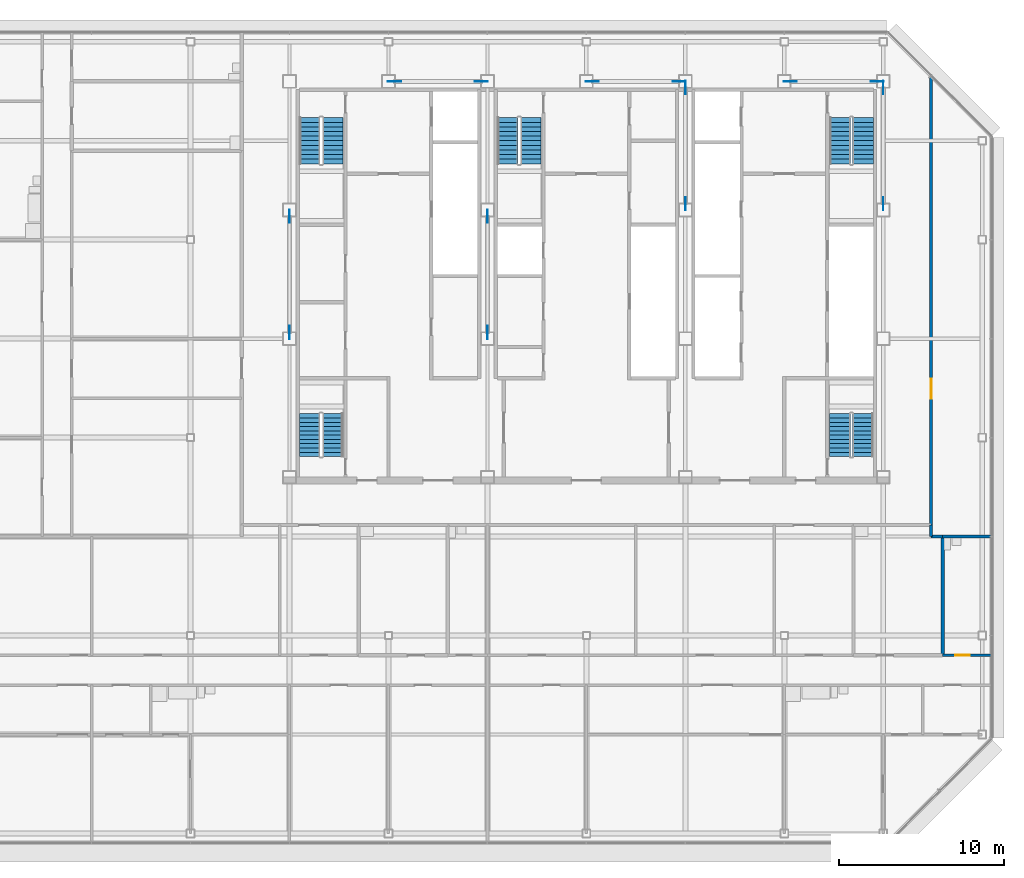
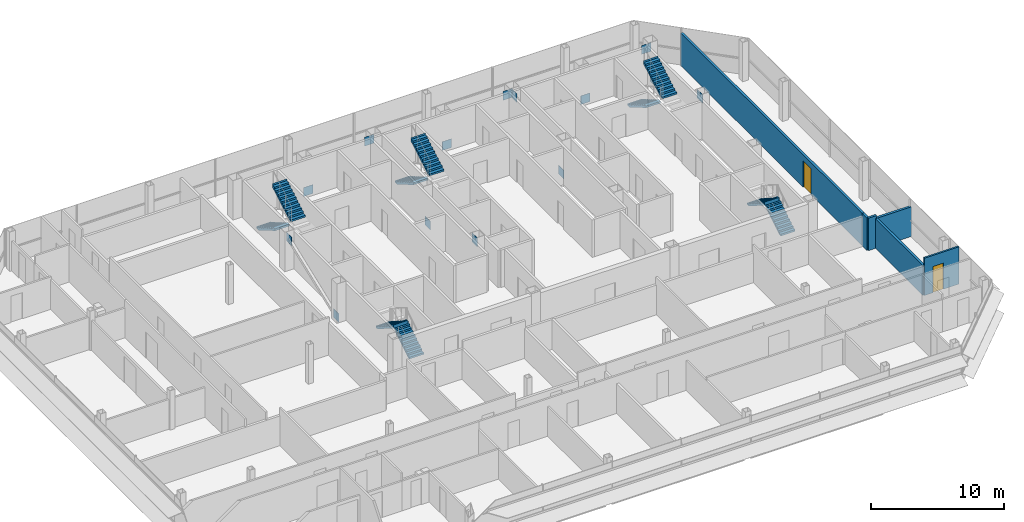
# One storey, part 25 of 27: 14 discrete accessories, 10 stair flights, 6 walls, 2 doors, 2 openings, 5 elements without a shape of their own.
"""IFC4 building model written with IfcOpenShell, lengths in metres."""

from ifc_helpers import new_model, si_unit, direction, frame, frame_2d, origin, origin_2d, place, context, subcontext, project, spatial, polyline, rectangle, outline, extrude, material, layer, layer_set, type_object, element, fill, aggregate, save


model = new_model("IFC4")

# Units and contexts
model_context = context("Model", 3, precision=1e-05, world=origin(), true_north=direction((0.0, 1.0)))
body_context = subcontext(model_context, "Body", "Model", "MODEL_VIEW")
ifc_project = project(units=[si_unit("LENGTHUNIT", "METRE"), si_unit("AREAUNIT", "SQUARE_METRE"), si_unit("VOLUMEUNIT", "CUBIC_METRE"), si_unit("PLANEANGLEUNIT", "RADIAN"), si_unit("MASSUNIT", "GRAM", prefix="KILO")], contexts=[model_context])

# Site, building, storey
site_placement = place(None, origin())
site = spatial("IfcSite", under=ifc_project, at=site_placement, CompositionType="ELEMENT")
building_placement = place(site_placement, origin())
building = spatial("IfcBuilding", under=site, at=building_placement, Name="Sorahane Residences", CompositionType="ELEMENT")
storey_placement = place(building_placement, frame((0.0, 0.0, 312.39990234375)))
storey = spatial("IfcBuildingStorey", under=building, at=storey_placement, Name="L74", CompositionType="ELEMENT", Elevation=312.39990234375)

# Wall, opening, door
ifc_material_1 = material(Name="Concrete blockwork C20 wall", Category="masonry")
ifc_layer_1 = layer(ifc_material_1, 0.199951171875)
ifc_layer_set_1 = layer_set([ifc_layer_1], Name="Corridor wall 200 EI 120")
wall_type_1 = type_object("IfcWallType", Name="Corridor wall 200 EI 120", PredefinedType="SOLIDWALL", material=ifc_layer_set_1)
wall_1_placement = place(storey_placement, frame((44.89990234375, 18.699951171875, 0.0), z_axis=(0.0, 0.0, 1.0), x_axis=(0.0, 1.0, 0.0)))
wall_1 = element("IfcWall", 1, at=wall_1_placement, inside=storey, type_object=wall_type_1, Name="L74 corridor wall", PredefinedType="SOLIDWALL", context=body_context, shape_type="SweptSolid", body=[
    extrude(rectangle(XDim=27.2490234375, YDim=0.199951171875, at=frame_2d((13.62451171875, 0.0))), origin(), (0.0, 0.0, 1.0), 2.97021484375),
])
opening_1_placement = place(wall_1_placement, frame((7.659912109375, 0.0, 0.0)))
opening_1 = element("IfcOpeningElement", 2, at=opening_1_placement, cuts=wall_1, Name="Opening L74-41", PredefinedType="OPENING", context=body_context, shape_type="SweptSolid", body=[
    extrude(rectangle(XDim=1.199951171875, YDim=2.39990234375, at=frame_2d((0.60009765625, 1.199951171875))), frame((0.0, 0.10986328125, 0.0), z_axis=(0.0, -1.0, 0.0), x_axis=(1.0, 0.0, 0.0)), (0.0, 0.0, 1.0), 0.219970703125),
])
ifc_material_2 = material(Name="Steel", Category="steel")
door_type_1 = type_object("IfcDoorType", Name="Lobby door 1200x2400 FD60", OperationType="NOTDEFINED", PredefinedType="DOOR", material=ifc_material_2)
door_1_placement = place(opening_1_placement, frame((1.199951171875, 0.0, 0.0), z_axis=(0.0, 0.0, 1.0), x_axis=(-1.0, 0.0, 0.0)))
door_1 = element("IfcDoor", 3, at=door_1_placement, inside=storey, type_object=door_type_1, Name="Lobby door L74-41", OperationType="SINGLE_SWING_RIGHT", OverallHeight=2.39990234375, OverallWidth=1.199951171875, PredefinedType="DOOR", context=body_context, shape_type="SweptSolid", body=[
    extrude(rectangle(XDim=1.199951171875, YDim=2.39990234375, at=frame_2d((0.60009765625, 1.199951171875))), frame((0.0, 0.02490234375, 0.0), z_axis=(0.0, -1.0, 0.0), x_axis=(1.0, 0.0, 0.0)), (0.0, 0.0, 1.0), 0.050048828125),
])
fill(opening_1, door_1)

# Walls
wall_2_placement = place(storey_placement, frame((45.60009765625, 18.0, 0.0), z_axis=(0.0, 0.0, 1.0), x_axis=(1.0, 0.0, 0.0)))
element("IfcWall", 4, at=wall_2_placement, inside=storey, type_object=wall_type_1, Name="L74 corridor wall", PredefinedType="SOLIDWALL", context=body_context, shape_type="SweptSolid", body=[
    extrude(rectangle(XDim=3.0, YDim=0.199951171875, at=frame_2d((1.5, 0.0))), origin(), (0.0, 0.0, 1.0), 2.72021484375),
])
ifc_material_3 = material(Name="Concrete blockwork C20 wall", Category="masonry")
ifc_layer_2 = layer(ifc_material_3, 0.199951171875)
ifc_layer_set_2 = layer_set([ifc_layer_2], Name="Kitchen wall 200 EI 180")
wall_type_2 = type_object("IfcWallType", Name="Kitchen wall 200 EI 180", PredefinedType="SOLIDWALL", material=ifc_layer_set_2)
wall_3_placement = place(storey_placement, frame((44.89990234375, 18.0, 0.0), z_axis=(0.0, 0.0, 1.0), x_axis=(0.0, 1.0, 0.0)))
element("IfcWall", 5, at=wall_3_placement, inside=storey, type_object=wall_type_2, Name="L74 kitchen wall", PredefinedType="SOLIDWALL", context=body_context, shape_type="SweptSolid", body=[
    extrude(rectangle(XDim=0.699951171875, YDim=0.199951171875, at=frame_2d((0.35009765625, 0.0))), origin(), (0.0, 0.0, 1.0), 2.97021484375),
])
wall_4_placement = place(storey_placement, frame((45.60009765625, 10.800048828125, 0.0), z_axis=(0.0, 0.0, 1.0), x_axis=(0.0, 1.0, 0.0)))
element("IfcWall", 6, at=wall_4_placement, inside=storey, type_object=wall_type_2, Name="L74 kitchen wall", PredefinedType="SOLIDWALL", context=body_context, shape_type="SweptSolid", body=[
    extrude(rectangle(XDim=7.199951171875, YDim=0.199951171875, at=frame_2d((3.60009765625, 0.0))), origin(), (0.0, 0.0, 1.0), 2.72021484375),
])
wall_5_placement = place(storey_placement, frame((44.89990234375, 18.0, 0.0), z_axis=(0.0, 0.0, 1.0), x_axis=(1.0, 0.0, 0.0)))
element("IfcWall", 7, at=wall_5_placement, inside=storey, type_object=wall_type_2, Name="L74 kitchen wall", PredefinedType="SOLIDWALL", context=body_context, shape_type="SweptSolid", body=[
    extrude(rectangle(XDim=0.7001953125, YDim=0.199951171875, at=frame_2d((0.35009765625, 0.0))), origin(), (0.0, 0.0, 1.0), 2.97021484375),
])

# Wall, opening, door
ifc_material_4 = material(Name="Gypsum board partition on steel studs", Category="steel")
ifc_layer_3 = layer(ifc_material_4, 0.14990234375)
ifc_layer_set_3 = layer_set([ifc_layer_3], Name="Wet wall 150 EI 90")
wall_type_3 = type_object("IfcWallType", Name="Wet wall 150 EI 90", PredefinedType="PARTITIONING", material=ifc_layer_set_3)
wall_6_placement = place(storey_placement, frame((45.60009765625, 10.800048828125, 0.0), z_axis=(0.0, 0.0, 1.0), x_axis=(1.0, 0.0, 0.0)))
wall_6 = element("IfcWall", 8, at=wall_6_placement, inside=storey, type_object=wall_type_3, Name="L74 wet wall", PredefinedType="PARTITIONING", context=body_context, shape_type="SweptSolid", body=[
    extrude(rectangle(XDim=3.0, YDim=0.14990234375, at=frame_2d((1.5, 0.0))), origin(), (0.0, 0.0, 1.0), 3.420166015625),
])
opening_2_placement = place(wall_6_placement, frame((0.75, 0.0, 0.0)))
opening_2 = element("IfcOpeningElement", 9, at=opening_2_placement, cuts=wall_6, Name="Opening L74-18", PredefinedType="OPENING", context=body_context, shape_type="SweptSolid", body=[
    extrude(rectangle(XDim=0.89990234375, YDim=2.39990234375, at=frame_2d((0.449951171875, 1.199951171875))), frame((0.0, 0.0849609375, 0.0), z_axis=(0.0, -1.0, 0.0), x_axis=(1.0, 0.0, 0.0)), (0.0, 0.0, 1.0), 0.169921875),
])
ifc_material_5 = material(Name="Timber veneered fire door", Category="wood")
door_type_2 = type_object("IfcDoorType", Name="Bathroom door 900x2400 FD30", OperationType="NOTDEFINED", PredefinedType="DOOR", material=ifc_material_5)
door_2_placement = place(opening_2_placement, frame((0.89990234375, 0.0, 0.0), z_axis=(0.0, 0.0, 1.0), x_axis=(-1.0, 0.0, 0.0)))
door_2 = element("IfcDoor", 10, at=door_2_placement, inside=storey, type_object=door_type_2, Name="Bathroom door L74-18", OperationType="SINGLE_SWING_LEFT", OverallHeight=2.39990234375, OverallWidth=0.89990234375, PredefinedType="DOOR", context=body_context, shape_type="SweptSolid", body=[
    extrude(rectangle(XDim=0.89990234375, YDim=2.39990234375, at=frame_2d((0.449951171875, 1.199951171875))), frame((0.0, 0.02490234375, 0.0), z_axis=(0.0, -1.0, 0.0), x_axis=(1.0, 0.0, 0.0)), (0.0, 0.0, 1.0), 0.050048828125),
])
fill(opening_2, door_2)

# Stair, stair flights
ifc_material_6 = material(Name="Concrete C40", Category="concrete")
stair_type = type_object("IfcStairType", Name="Dog-leg stair 1250 Concrete C40", PredefinedType="HALF_TURN_STAIR", material=ifc_material_6)
stair_1_placement = place(storey_placement, origin())
stair_1 = element("IfcStair", 11, at=stair_1_placement, inside=storey, type_object=stair_type, Name="L74 Stair S1", PredefinedType="HALF_TURN_STAIR")
ifc_material_7 = material(Name="Concrete C40", Category="concrete")
stair_flight_type = type_object("IfcStairFlightType", Name="Stair flight 1250 Concrete C40", PredefinedType="STRAIGHT", material=ifc_material_7)
stair_flight_1_placement = place(storey_placement, frame((7.22509765625, 43.39990234375, 0.0), z_axis=(0.0, 0.0, 1.0), x_axis=(0.0, -1.0, 0.0)))
stair_flight_1 = element("IfcStairFlight", 12, at=stair_flight_1_placement, type_object=stair_flight_type, Name="S1 flight 1", NumberOfRisers=11, NumberOfTreads=10, PredefinedType="STRAIGHT", RiserHeight=0.163636364, TreadLength=0.28, context=body_context, shape_type="SweptSolid", body=[
    extrude(outline(polyline([(-0.00146484375, 0.0), (-0.00146484375, 0.16357421875), (0.0, 0.16357421875), (0.280029296875, 0.16357421875), (0.280029296875, 0.327392578125), (0.56005859375, 0.327392578125), (0.56005859375, 0.490966796875), (0.840087890625, 0.490966796875), (0.840087890625, 0.654541015625), (1.1201171875, 0.654541015625), (1.1201171875, 0.818115234375), (1.39990234375, 0.818115234375), (1.39990234375, 0.98193359375), (1.679931640625, 0.98193359375), (1.679931640625, 1.1455078125), (1.9599609375, 1.1455078125), (1.9599609375, 1.30908203125), (2.239990234375, 1.30908203125), (2.239990234375, 1.47265625), (2.52001953125, 1.47265625), (2.52001953125, 1.636474609375), (2.800048828125, 1.636474609375), (2.800048828125, 1.800048828125), (2.800048828125, 1.462646484375), (2.59130859375, 1.3408203125), (2.3828125, 1.218994140625), (2.17431640625, 1.09716796875), (1.965576171875, 0.97509765625), (1.757080078125, 0.853271484375), (1.548583984375, 0.7314453125), (1.340087890625, 0.609375), (1.13134765625, 0.487548828125), (0.9228515625, 0.36572265625), (0.71435546875, 0.243896484375), (0.505615234375, 0.121826171875), (0.297119140625, 0.0), (-0.00146484375, 0.0)])), frame((0.0, 0.625, 0.0), z_axis=(0.0, -1.0, 0.0), x_axis=(1.0, 0.0, 0.0)), (0.0, 0.0, 1.0), 1.25),
])
stair_flight_2_placement = place(storey_placement, frame((8.625, 40.60009765625, 1.800048828125), z_axis=(0.0, 0.0, 1.0), x_axis=(0.0, 1.0, 0.0)))
stair_flight_2 = element("IfcStairFlight", 13, at=stair_flight_2_placement, type_object=stair_flight_type, Name="S1 flight 2", NumberOfRisers=11, NumberOfTreads=10, PredefinedType="STRAIGHT", RiserHeight=0.163636364, TreadLength=0.28, context=body_context, shape_type="SweptSolid", body=[
    extrude(outline(polyline([(0.0, 0.0), (0.0, 0.16357421875), (0.280029296875, 0.16357421875), (0.280029296875, 0.327392578125), (0.56005859375, 0.327392578125), (0.56005859375, 0.490966796875), (0.840087890625, 0.490966796875), (0.840087890625, 0.654541015625), (1.1201171875, 0.654541015625), (1.1201171875, 0.818115234375), (1.39990234375, 0.818115234375), (1.39990234375, 0.98193359375), (1.679931640625, 0.98193359375), (1.679931640625, 1.1455078125), (1.9599609375, 1.1455078125), (1.9599609375, 1.30908203125), (2.239990234375, 1.30908203125), (2.239990234375, 1.47265625), (2.52001953125, 1.47265625), (2.52001953125, 1.636474609375), (2.800048828125, 1.636474609375), (2.800048828125, 1.800048828125), (2.801513671875, 1.800048828125), (2.801513671875, 1.462646484375), (2.5927734375, 1.3408203125), (2.384033203125, 1.218994140625), (2.17529296875, 1.09716796875), (1.966796875, 0.97509765625), (1.758056640625, 0.853271484375), (1.54931640625, 0.7314453125), (1.340576171875, 0.609375), (1.1318359375, 0.487548828125), (0.923095703125, 0.36572265625), (0.714599609375, 0.243896484375), (0.505859375, 0.121826171875), (0.297119140625, 0.0), (0.0, 0.0)])), frame((0.0, 0.625, 0.0), z_axis=(0.0, -1.0, 0.0), x_axis=(1.0, 0.0, 0.0)), (0.0, 0.0, 1.0), 1.25),
])
aggregate(stair_1, [stair_flight_1, stair_flight_2])

stair_2_placement = place(storey_placement, origin())
stair_2 = element("IfcStair", 14, at=stair_2_placement, inside=storey, type_object=stair_type, Name="L74 Stair S2", PredefinedType="HALF_TURN_STAIR")
stair_flight_3_placement = place(storey_placement, frame((39.375, 43.39990234375, 0.0), z_axis=(0.0, 0.0, 1.0), x_axis=(0.0, -1.0, 0.0)))
stair_flight_3 = element("IfcStairFlight", 15, at=stair_flight_3_placement, type_object=stair_flight_type, Name="S2 flight 1", NumberOfRisers=11, NumberOfTreads=10, PredefinedType="STRAIGHT", RiserHeight=0.163636364, TreadLength=0.28, context=body_context, shape_type="SweptSolid", body=[
    extrude(outline(polyline([(-0.00146484375, 0.0), (-0.00146484375, 0.16357421875), (0.0, 0.16357421875), (0.280029296875, 0.16357421875), (0.280029296875, 0.327392578125), (0.56005859375, 0.327392578125), (0.56005859375, 0.490966796875), (0.840087890625, 0.490966796875), (0.840087890625, 0.654541015625), (1.1201171875, 0.654541015625), (1.1201171875, 0.818115234375), (1.39990234375, 0.818115234375), (1.39990234375, 0.98193359375), (1.679931640625, 0.98193359375), (1.679931640625, 1.1455078125), (1.9599609375, 1.1455078125), (1.9599609375, 1.30908203125), (2.239990234375, 1.30908203125), (2.239990234375, 1.47265625), (2.52001953125, 1.47265625), (2.52001953125, 1.636474609375), (2.800048828125, 1.636474609375), (2.800048828125, 1.800048828125), (2.800048828125, 1.462646484375), (2.59130859375, 1.3408203125), (2.3828125, 1.218994140625), (2.17431640625, 1.09716796875), (1.965576171875, 0.97509765625), (1.757080078125, 0.853271484375), (1.548583984375, 0.7314453125), (1.340087890625, 0.609375), (1.13134765625, 0.487548828125), (0.9228515625, 0.36572265625), (0.71435546875, 0.243896484375), (0.505615234375, 0.121826171875), (0.297119140625, 0.0), (-0.00146484375, 0.0)])), frame((0.0, 0.625, 0.0), z_axis=(0.0, -1.0, 0.0), x_axis=(1.0, 0.0, 0.0)), (0.0, 0.0, 1.0), 1.25),
])
stair_flight_4_placement = place(storey_placement, frame((40.77490234375, 40.60009765625, 1.800048828125), z_axis=(0.0, 0.0, 1.0), x_axis=(0.0, 1.0, 0.0)))
stair_flight_4 = element("IfcStairFlight", 16, at=stair_flight_4_placement, type_object=stair_flight_type, Name="S2 flight 2", NumberOfRisers=11, NumberOfTreads=10, PredefinedType="STRAIGHT", RiserHeight=0.163636364, TreadLength=0.28, context=body_context, shape_type="SweptSolid", body=[
    extrude(outline(polyline([(0.0, 0.0), (0.0, 0.16357421875), (0.280029296875, 0.16357421875), (0.280029296875, 0.327392578125), (0.56005859375, 0.327392578125), (0.56005859375, 0.490966796875), (0.840087890625, 0.490966796875), (0.840087890625, 0.654541015625), (1.1201171875, 0.654541015625), (1.1201171875, 0.818115234375), (1.39990234375, 0.818115234375), (1.39990234375, 0.98193359375), (1.679931640625, 0.98193359375), (1.679931640625, 1.1455078125), (1.9599609375, 1.1455078125), (1.9599609375, 1.30908203125), (2.239990234375, 1.30908203125), (2.239990234375, 1.47265625), (2.52001953125, 1.47265625), (2.52001953125, 1.636474609375), (2.800048828125, 1.636474609375), (2.800048828125, 1.800048828125), (2.801513671875, 1.800048828125), (2.801513671875, 1.462646484375), (2.5927734375, 1.3408203125), (2.384033203125, 1.218994140625), (2.17529296875, 1.09716796875), (1.966796875, 0.97509765625), (1.758056640625, 0.853271484375), (1.54931640625, 0.7314453125), (1.340576171875, 0.609375), (1.1318359375, 0.487548828125), (0.923095703125, 0.36572265625), (0.714599609375, 0.243896484375), (0.505859375, 0.121826171875), (0.297119140625, 0.0), (0.0, 0.0)])), frame((0.0, 0.625, 0.0), z_axis=(0.0, -1.0, 0.0), x_axis=(1.0, 0.0, 0.0)), (0.0, 0.0, 1.0), 1.25),
])
aggregate(stair_2, [stair_flight_3, stair_flight_4])

stair_3_placement = place(storey_placement, origin())
stair_3 = element("IfcStair", 17, at=stair_3_placement, inside=storey, type_object=stair_type, Name="L74 Stair S3", PredefinedType="HALF_TURN_STAIR")
stair_flight_5_placement = place(storey_placement, frame((19.22509765625, 43.39990234375, 0.0), z_axis=(0.0, 0.0, 1.0), x_axis=(0.0, -1.0, 0.0)))
stair_flight_5 = element("IfcStairFlight", 18, at=stair_flight_5_placement, type_object=stair_flight_type, Name="S3 flight 1", NumberOfRisers=11, NumberOfTreads=10, PredefinedType="STRAIGHT", RiserHeight=0.163636364, TreadLength=0.28, context=body_context, shape_type="SweptSolid", body=[
    extrude(outline(polyline([(-0.00146484375, 0.0), (-0.00146484375, 0.16357421875), (0.0, 0.16357421875), (0.280029296875, 0.16357421875), (0.280029296875, 0.327392578125), (0.56005859375, 0.327392578125), (0.56005859375, 0.490966796875), (0.840087890625, 0.490966796875), (0.840087890625, 0.654541015625), (1.1201171875, 0.654541015625), (1.1201171875, 0.818115234375), (1.39990234375, 0.818115234375), (1.39990234375, 0.98193359375), (1.679931640625, 0.98193359375), (1.679931640625, 1.1455078125), (1.9599609375, 1.1455078125), (1.9599609375, 1.30908203125), (2.239990234375, 1.30908203125), (2.239990234375, 1.47265625), (2.52001953125, 1.47265625), (2.52001953125, 1.636474609375), (2.800048828125, 1.636474609375), (2.800048828125, 1.800048828125), (2.800048828125, 1.462646484375), (2.59130859375, 1.3408203125), (2.3828125, 1.218994140625), (2.17431640625, 1.09716796875), (1.965576171875, 0.97509765625), (1.757080078125, 0.853271484375), (1.548583984375, 0.7314453125), (1.340087890625, 0.609375), (1.13134765625, 0.487548828125), (0.9228515625, 0.36572265625), (0.71435546875, 0.243896484375), (0.505615234375, 0.121826171875), (0.297119140625, 0.0), (-0.00146484375, 0.0)])), frame((0.0, 0.625, 0.0), z_axis=(0.0, -1.0, 0.0), x_axis=(1.0, 0.0, 0.0)), (0.0, 0.0, 1.0), 1.25),
])
stair_flight_6_placement = place(storey_placement, frame((20.625, 40.60009765625, 1.800048828125), z_axis=(0.0, 0.0, 1.0), x_axis=(0.0, 1.0, 0.0)))
stair_flight_6 = element("IfcStairFlight", 19, at=stair_flight_6_placement, type_object=stair_flight_type, Name="S3 flight 2", NumberOfRisers=11, NumberOfTreads=10, PredefinedType="STRAIGHT", RiserHeight=0.163636364, TreadLength=0.28, context=body_context, shape_type="SweptSolid", body=[
    extrude(outline(polyline([(0.0, 0.0), (0.0, 0.16357421875), (0.280029296875, 0.16357421875), (0.280029296875, 0.327392578125), (0.56005859375, 0.327392578125), (0.56005859375, 0.490966796875), (0.840087890625, 0.490966796875), (0.840087890625, 0.654541015625), (1.1201171875, 0.654541015625), (1.1201171875, 0.818115234375), (1.39990234375, 0.818115234375), (1.39990234375, 0.98193359375), (1.679931640625, 0.98193359375), (1.679931640625, 1.1455078125), (1.9599609375, 1.1455078125), (1.9599609375, 1.30908203125), (2.239990234375, 1.30908203125), (2.239990234375, 1.47265625), (2.52001953125, 1.47265625), (2.52001953125, 1.636474609375), (2.800048828125, 1.636474609375), (2.800048828125, 1.800048828125), (2.801513671875, 1.800048828125), (2.801513671875, 1.462646484375), (2.5927734375, 1.3408203125), (2.384033203125, 1.218994140625), (2.17529296875, 1.09716796875), (1.966796875, 0.97509765625), (1.758056640625, 0.853271484375), (1.54931640625, 0.7314453125), (1.340576171875, 0.609375), (1.1318359375, 0.487548828125), (0.923095703125, 0.36572265625), (0.714599609375, 0.243896484375), (0.505859375, 0.121826171875), (0.297119140625, 0.0), (0.0, 0.0)])), frame((0.0, 0.625, 0.0), z_axis=(0.0, -1.0, 0.0), x_axis=(1.0, 0.0, 0.0)), (0.0, 0.0, 1.0), 1.25),
])
aggregate(stair_3, [stair_flight_5, stair_flight_6])

stair_4_placement = place(storey_placement, origin())
stair_4 = element("IfcStair", 20, at=stair_4_placement, inside=storey, type_object=stair_type, Name="L74 Stair S4", PredefinedType="HALF_TURN_STAIR")
stair_flight_7_placement = place(storey_placement, frame((8.625, 22.85009765625, 0.0), z_axis=(0.0, 0.0, 1.0), x_axis=(0.0, 1.0, 0.0)))
stair_flight_7 = element("IfcStairFlight", 21, at=stair_flight_7_placement, type_object=stair_flight_type, Name="S4 flight 1", NumberOfRisers=11, NumberOfTreads=10, PredefinedType="STRAIGHT", RiserHeight=0.163636364, TreadLength=0.26, context=body_context, shape_type="SweptSolid", body=[
    extrude(outline(polyline([(-0.00146484375, 0.0), (-0.00146484375, 0.16357421875), (0.0, 0.16357421875), (0.260009765625, 0.16357421875), (0.260009765625, 0.327392578125), (0.52001953125, 0.327392578125), (0.52001953125, 0.490966796875), (0.780029296875, 0.490966796875), (0.780029296875, 0.654541015625), (1.0400390625, 0.654541015625), (1.0400390625, 0.818115234375), (1.300048828125, 0.818115234375), (1.300048828125, 0.98193359375), (1.56005859375, 0.98193359375), (1.56005859375, 1.1455078125), (1.820068359375, 1.1455078125), (1.820068359375, 1.30908203125), (2.080078125, 1.30908203125), (2.080078125, 1.47265625), (2.340087890625, 1.47265625), (2.340087890625, 1.636474609375), (2.60009765625, 1.636474609375), (2.60009765625, 1.800048828125), (2.60009765625, 1.494384765625), (2.402099609375, 1.369873046875), (2.204345703125, 1.245361328125), (2.00634765625, 1.120849609375), (1.80859375, 0.996337890625), (1.610595703125, 0.871826171875), (1.412841796875, 0.747314453125), (1.21484375, 0.622802734375), (1.01708984375, 0.498046875), (0.819091796875, 0.37353515625), (0.621337890625, 0.2490234375), (0.42333984375, 0.12451171875), (0.2255859375, 0.0), (-0.00146484375, 0.0)])), frame((0.0, 0.625, 0.0), z_axis=(0.0, -1.0, 0.0), x_axis=(1.0, 0.0, 0.0)), (0.0, 0.0, 1.0), 1.25),
])
stair_flight_8_placement = place(storey_placement, frame((7.22509765625, 25.449951171875, 1.800048828125), z_axis=(0.0, 0.0, 1.0), x_axis=(0.0, -1.0, 0.0)))
stair_flight_8 = element("IfcStairFlight", 22, at=stair_flight_8_placement, type_object=stair_flight_type, Name="S4 flight 2", NumberOfRisers=11, NumberOfTreads=10, PredefinedType="STRAIGHT", RiserHeight=0.163636364, TreadLength=0.26, context=body_context, shape_type="SweptSolid", body=[
    extrude(outline(polyline([(0.0, 0.0), (0.0, 0.16357421875), (0.260009765625, 0.16357421875), (0.260009765625, 0.327392578125), (0.52001953125, 0.327392578125), (0.52001953125, 0.490966796875), (0.780029296875, 0.490966796875), (0.780029296875, 0.654541015625), (1.0400390625, 0.654541015625), (1.0400390625, 0.818115234375), (1.300048828125, 0.818115234375), (1.300048828125, 0.98193359375), (1.56005859375, 0.98193359375), (1.56005859375, 1.1455078125), (1.820068359375, 1.1455078125), (1.820068359375, 1.30908203125), (2.080078125, 1.30908203125), (2.080078125, 1.47265625), (2.340087890625, 1.47265625), (2.340087890625, 1.636474609375), (2.60009765625, 1.636474609375), (2.60009765625, 1.800048828125), (2.6015625, 1.800048828125), (2.6015625, 1.494384765625), (2.403564453125, 1.369873046875), (2.20556640625, 1.245361328125), (2.007568359375, 1.120849609375), (1.8095703125, 0.996337890625), (1.611572265625, 0.871826171875), (1.41357421875, 0.747314453125), (1.215576171875, 0.622802734375), (1.017578125, 0.498046875), (0.819580078125, 0.37353515625), (0.62158203125, 0.2490234375), (0.423583984375, 0.12451171875), (0.2255859375, 0.0), (0.0, 0.0)])), frame((0.0, 0.625, 0.0), z_axis=(0.0, -1.0, 0.0), x_axis=(1.0, 0.0, 0.0)), (0.0, 0.0, 1.0), 1.25),
])
aggregate(stair_4, [stair_flight_7, stair_flight_8])

stair_5_placement = place(storey_placement, origin())
stair_5 = element("IfcStair", 23, at=stair_5_placement, inside=storey, type_object=stair_type, Name="L74 Stair S5", PredefinedType="HALF_TURN_STAIR")
stair_flight_9_placement = place(storey_placement, frame((40.77490234375, 22.85009765625, 0.0), z_axis=(0.0, 0.0, 1.0), x_axis=(0.0, 1.0, 0.0)))
stair_flight_9 = element("IfcStairFlight", 24, at=stair_flight_9_placement, type_object=stair_flight_type, Name="S5 flight 1", NumberOfRisers=11, NumberOfTreads=10, PredefinedType="STRAIGHT", RiserHeight=0.163636364, TreadLength=0.26, context=body_context, shape_type="SweptSolid", body=[
    extrude(outline(polyline([(-0.00146484375, 0.0), (-0.00146484375, 0.16357421875), (0.0, 0.16357421875), (0.260009765625, 0.16357421875), (0.260009765625, 0.327392578125), (0.52001953125, 0.327392578125), (0.52001953125, 0.490966796875), (0.780029296875, 0.490966796875), (0.780029296875, 0.654541015625), (1.0400390625, 0.654541015625), (1.0400390625, 0.818115234375), (1.300048828125, 0.818115234375), (1.300048828125, 0.98193359375), (1.56005859375, 0.98193359375), (1.56005859375, 1.1455078125), (1.820068359375, 1.1455078125), (1.820068359375, 1.30908203125), (2.080078125, 1.30908203125), (2.080078125, 1.47265625), (2.340087890625, 1.47265625), (2.340087890625, 1.636474609375), (2.60009765625, 1.636474609375), (2.60009765625, 1.800048828125), (2.60009765625, 1.494384765625), (2.402099609375, 1.369873046875), (2.204345703125, 1.245361328125), (2.00634765625, 1.120849609375), (1.80859375, 0.996337890625), (1.610595703125, 0.871826171875), (1.412841796875, 0.747314453125), (1.21484375, 0.622802734375), (1.01708984375, 0.498046875), (0.819091796875, 0.37353515625), (0.621337890625, 0.2490234375), (0.42333984375, 0.12451171875), (0.2255859375, 0.0), (-0.00146484375, 0.0)])), frame((0.0, 0.625, 0.0), z_axis=(0.0, -1.0, 0.0), x_axis=(1.0, 0.0, 0.0)), (0.0, 0.0, 1.0), 1.25),
])
stair_flight_10_placement = place(storey_placement, frame((39.375, 25.449951171875, 1.800048828125), z_axis=(0.0, 0.0, 1.0), x_axis=(0.0, -1.0, 0.0)))
stair_flight_10 = element("IfcStairFlight", 25, at=stair_flight_10_placement, type_object=stair_flight_type, Name="S5 flight 2", NumberOfRisers=11, NumberOfTreads=10, PredefinedType="STRAIGHT", RiserHeight=0.163636364, TreadLength=0.26, context=body_context, shape_type="SweptSolid", body=[
    extrude(outline(polyline([(0.0, 0.0), (0.0, 0.16357421875), (0.260009765625, 0.16357421875), (0.260009765625, 0.327392578125), (0.52001953125, 0.327392578125), (0.52001953125, 0.490966796875), (0.780029296875, 0.490966796875), (0.780029296875, 0.654541015625), (1.0400390625, 0.654541015625), (1.0400390625, 0.818115234375), (1.300048828125, 0.818115234375), (1.300048828125, 0.98193359375), (1.56005859375, 0.98193359375), (1.56005859375, 1.1455078125), (1.820068359375, 1.1455078125), (1.820068359375, 1.30908203125), (2.080078125, 1.30908203125), (2.080078125, 1.47265625), (2.340087890625, 1.47265625), (2.340087890625, 1.636474609375), (2.60009765625, 1.636474609375), (2.60009765625, 1.800048828125), (2.6015625, 1.800048828125), (2.6015625, 1.494384765625), (2.403564453125, 1.369873046875), (2.20556640625, 1.245361328125), (2.007568359375, 1.120849609375), (1.8095703125, 0.996337890625), (1.611572265625, 0.871826171875), (1.41357421875, 0.747314453125), (1.215576171875, 0.622802734375), (1.017578125, 0.498046875), (0.819580078125, 0.37353515625), (0.62158203125, 0.2490234375), (0.423583984375, 0.12451171875), (0.2255859375, 0.0), (0.0, 0.0)])), frame((0.0, 0.625, 0.0), z_axis=(0.0, -1.0, 0.0), x_axis=(1.0, 0.0, 0.0)), (0.0, 0.0, 1.0), 1.25),
])
aggregate(stair_5, [stair_flight_9, stair_flight_10])

# Discrete accessories
ifc_material_8 = material(Name="Steel Q355B", Category="steel")
ifc_layer_4 = layer(ifc_material_8, 0.02490234375)
ifc_layer_set_4 = layer_set([ifc_layer_4], Name="Node plate Steel Q355B 25")
discrete_accessory_type = type_object("IfcDiscreteAccessoryType", Name="Node plate Steel Q355B 25", PredefinedType="BRACKET", material=ifc_layer_set_4)
for number, where, z_axis, x_axis, name in (
    (26, (6.0, 30.372802734375, -0.28564453125), (0.0, 0.0, 1.0), (0.0, 1.0, 0.0), "Node plate L74 br"),
    (27, (6.0, 37.42724609375, 2.45556640625), (0.0, 0.0, 1.0), (0.0, 1.0, 0.0), "Node plate L74 br"),
    (28, (18.0, 37.42724609375, -0.28564453125), (0.0, 0.0, 1.0), (0.0, 1.0, 0.0), "Node plate L74 br"),
    (29, (18.0, 30.372802734375, 2.45556640625), (0.0, 0.0, 1.0), (0.0, 1.0, 0.0), "Node plate L74 br"),
    (30, (30.0, 38.1728515625, -0.28564453125), (0.0, 0.0, 1.0), (0.0, 1.0, 0.0), "Node plate L74 br"),
    (31, (30.0, 45.227294921875, 2.45556640625), (0.0, 0.0, 1.0), (0.0, 1.0, 0.0), "Node plate L74 br"),
    (32, (42.0, 45.227294921875, -0.28564453125), (0.0, 0.0, 1.0), (0.0, 1.0, 0.0), "Node plate L74 br"),
    (33, (42.0, 38.1728515625, 2.45556640625), (0.0, 0.0, 1.0), (0.0, 1.0, 0.0), "Node plate L74 br"),
    (34, (12.365234375, 45.60009765625, -0.29296875), (0.0, 0.0, 1.0), (1.0, 0.0, 0.0), "Node plate L74 br"),
    (35, (24.365234375, 45.60009765625, -0.29296875), (0.0, 0.0, 1.0), (1.0, 0.0, 0.0), "Node plate L74 br"),
    (36, (36.365234375, 45.60009765625, -0.29296875), (0.0, 0.0, 1.0), (1.0, 0.0, 0.0), "Node plate L74 br"),
    (37, (17.634765625, 45.60009765625, 2.46337890625), (0.0, 0.0, 1.0), (1.0, 0.0, 0.0), "Node plate L74 br"),
    (38, (29.634765625, 45.60009765625, 2.46337890625), (0.0, 0.0, 1.0), (1.0, 0.0, 0.0), "Node plate L74 br"),
    (39, (41.634765625, 45.60009765625, 2.46337890625), (0.0, 0.0, 1.0), (1.0, 0.0, 0.0), "Node plate L74 br"),
):
    element("IfcDiscreteAccessory", number, at=place(storey_placement, frame(where, z_axis=z_axis, x_axis=x_axis)), inside=storey, type_object=discrete_accessory_type, Name=name, PredefinedType="BRACKET", context=body_context, shape_type="SweptSolid", body=[
        extrude(rectangle(XDim=0.800048828125, YDim=0.02490234375, at=origin_2d()), origin(), (0.0, 0.0, 1.0), 0.800048828125),
    ])

save(model, "model.ifc")
